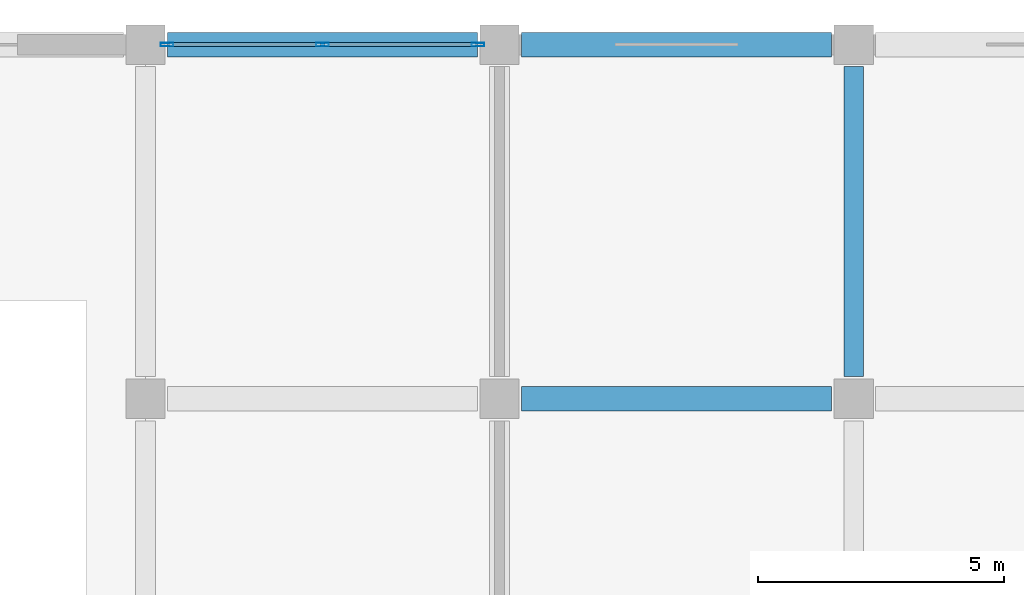
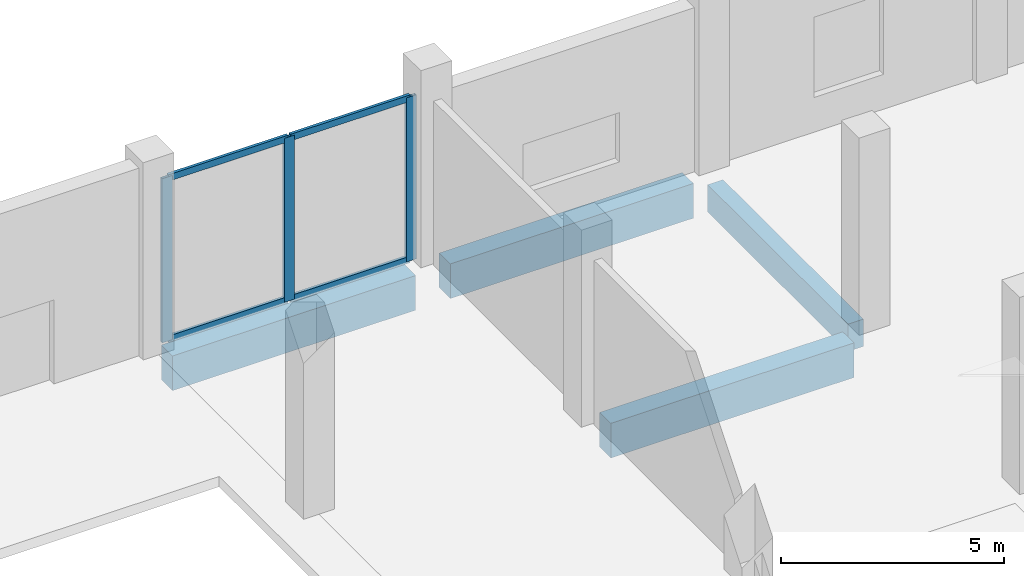
# One storey, part 40 of 70: 7 members, 4 beams, 1 element without a shape of its own.
"""IFC4 building model written with IfcOpenShell, lengths in metres."""

from ifc_helpers import new_model, si_unit, direction, frame, origin, origin_2d, place, context, subcontext, project, spatial, rectangle, hollow_rectangle, extrude, material, material_profile, profile_set, type_object, element, aggregate, save


model = new_model("IFC4")

# Units and contexts
model_context = context("Model", 3, precision=1e-05, world=origin(), true_north=direction((0.0, 1.0)))
body_context = subcontext(model_context, "Body", "Model", "MODEL_VIEW")
ifc_project = project(units=[si_unit("LENGTHUNIT", "METRE"), si_unit("AREAUNIT", "SQUARE_METRE"), si_unit("VOLUMEUNIT", "CUBIC_METRE"), si_unit("PLANEANGLEUNIT", "RADIAN"), si_unit("MASSUNIT", "GRAM", prefix="KILO")], contexts=[model_context])

# Site, building, storey
site_placement = place(None, origin())
site = spatial("IfcSite", under=ifc_project, at=site_placement, CompositionType="ELEMENT")
building_placement = place(site_placement, origin())
building = spatial("IfcBuilding", under=site, at=building_placement, Name="Vesperath Aquatics Centre", CompositionType="ELEMENT")
storey_placement = place(building_placement, origin())
storey = spatial("IfcBuildingStorey", under=building, at=storey_placement, Name="L00", CompositionType="ELEMENT", Elevation=0.0)

# Beams
ifc_material_1 = material(Name="Concrete C40", Category="concrete")
ifc_material_profile_1 = material_profile(ifc_material_1, rectangle(XDim=0.5, YDim=0.949951171875, at=origin_2d()), Name="RC 500x950")
ifc_profile_set_1 = profile_set([ifc_material_profile_1], Name="Concrete C40")
beam_type_1 = type_object("IfcBeamType", Name="BM-G02", PredefinedType="BEAM", material=ifc_profile_set_1)
for number, where, z_axis, x_axis, name in (
    (1, (144.449951171875, 115.199951171875, -0.7548828125), (1.0, 0.0, 0.0), (0.0, 1.0, 0.0), "Floor Girder B02 L00 S 21-22"),
    (2, (151.64990234375, 108.0, -0.7548828125), (1.0, 0.0, 0.0), (0.0, 1.0, 0.0), "Floor Girder B02 L00 R 22-23"),
    (3, (151.64990234375, 115.199951171875, -0.7548828125), (1.0, 0.0, 0.0), (0.0, 1.0, 0.0), "Floor Girder B02 L00 S 22-23"),
):
    element("IfcBeam", number, at=place(storey_placement, frame(where, z_axis=z_axis, x_axis=x_axis)), inside=storey, type_object=beam_type_1, Name=name, PredefinedType="BEAM", context=body_context, shape_type="SweptSolid", body=[
        extrude(rectangle(XDim=0.5, YDim=0.949951171875, at=origin_2d()), origin(), (0.0, 0.0, 1.0), 6.300048828125),
    ])
ifc_material_2 = material(Name="Concrete C35", Category="concrete")
ifc_material_profile_2 = material_profile(ifc_material_2, rectangle(XDim=0.39990234375, YDim=0.75, at=origin_2d()), Name="RC 400x750")
ifc_profile_set_2 = profile_set([ifc_material_profile_2], Name="Concrete C35")
beam_type_2 = type_object("IfcBeamType", Name="BM-G04", PredefinedType="BEAM", material=ifc_profile_set_2)
beam_placement = place(storey_placement, frame((158.39990234375, 108.449951171875, -0.655029296875), z_axis=(0.0, 1.0, 0.0), x_axis=(-1.0, 0.0, 0.0)))
element("IfcBeam", 4, at=beam_placement, inside=storey, type_object=beam_type_2, Name="Floor Girder B04 L00 23 R-S", PredefinedType="BEAM", context=body_context, shape_type="SweptSolid", body=[
    extrude(rectangle(XDim=0.39990234375, YDim=0.75, at=origin_2d()), origin(), (0.0, 0.0, 1.0), 6.300048828125),
])

# Curtain wall, members
ifc_material_3 = material(Name="Thermally broken anodised bronze aluminium curtain wall", Category="aluminium")
curtain_wall_type = type_object("IfcCurtainWallType", Name="CW-01", PredefinedType="NOTDEFINED", material=ifc_material_3)
curtain_wall_placement = place(storey_placement, origin())
curtain_wall = element("IfcCurtainWall", 5, at=curtain_wall_placement, inside=storey, type_object=curtain_wall_type, Name="Facade Curtain Wall CW01 L00_N_20_16", PredefinedType="NOTDEFINED")
ifc_material_4 = material(Name="Thermally broken anodised aluminium", Category="aluminium")
ifc_material_profile_3 = material_profile(ifc_material_4, hollow_rectangle(XDim=0.074951171875, YDim=0.260009765625, WallThickness=0.006103515625, at=origin_2d()), Name="CWM 75x260x6")
ifc_profile_set_3 = profile_set([ifc_material_profile_3], Name="Thermally broken anodised aluminium")
member_type_1 = type_object("IfcMemberType", Name="MB-CWM1", PredefinedType="MULLION", material=ifc_profile_set_3)
member_1_placement = place(storey_placement, frame((144.4375, 115.199951171875, 0.0), z_axis=(0.0, 0.0, 1.0), x_axis=(0.0, 1.0, 0.0)))
member_1 = element("IfcMember", 6, at=member_1_placement, type_object=member_type_1, Name="CW01 mullion 1", PredefinedType="MULLION", context=body_context, shape_type="SweptSolid", body=[
    extrude(hollow_rectangle(XDim=0.074951171875, YDim=0.260009765625, WallThickness=0.006103515625, at=origin_2d()), origin(), (0.0, 0.0, 1.0), 4.4951171875),
])
member_2_placement = place(storey_placement, frame((147.60009765625, 115.199951171875, 0.0), z_axis=(0.0, 0.0, 1.0), x_axis=(0.0, 1.0, 0.0)))
member_2 = element("IfcMember", 7, at=member_2_placement, type_object=member_type_1, Name="CW01 mullion 2", PredefinedType="MULLION", context=body_context, shape_type="SweptSolid", body=[
    extrude(hollow_rectangle(XDim=0.074951171875, YDim=0.260009765625, WallThickness=0.006103515625, at=origin_2d()), origin(), (0.0, 0.0, 1.0), 4.4951171875),
])
member_3_placement = place(storey_placement, frame((150.762451171875, 115.199951171875, 0.0), z_axis=(0.0, 0.0, 1.0), x_axis=(0.0, 1.0, 0.0)))
member_3 = element("IfcMember", 8, at=member_3_placement, type_object=member_type_1, Name="CW01 mullion 3", PredefinedType="MULLION", context=body_context, shape_type="SweptSolid", body=[
    extrude(hollow_rectangle(XDim=0.074951171875, YDim=0.260009765625, WallThickness=0.006103515625, at=origin_2d()), origin(), (0.0, 0.0, 1.0), 4.4951171875),
])
ifc_material_profile_4 = material_profile(ifc_material_4, hollow_rectangle(XDim=0.074951171875, YDim=0.179931640625, WallThickness=0.0048828125, at=origin_2d()), Name="CWT 75x180x5")
ifc_profile_set_4 = profile_set([ifc_material_profile_4], Name="Thermally broken anodised aluminium")
member_type_2 = type_object("IfcMemberType", Name="MB-CWT1", PredefinedType="USERDEFINED", material=ifc_profile_set_4)
member_4_placement = place(storey_placement, frame((144.47509765625, 115.199951171875, 0.03759765625), z_axis=(1.0, 0.0, 0.0), x_axis=(0.0, 1.0, 0.0)))
member_4 = element("IfcMember", 9, at=member_4_placement, type_object=member_type_2, Name="CW01 transom 1.1", ObjectType="TRANSOM", PredefinedType="USERDEFINED", context=body_context, shape_type="SweptSolid", body=[
    extrude(hollow_rectangle(XDim=0.074951171875, YDim=0.179931640625, WallThickness=0.0048828125, at=origin_2d()), origin(), (0.0, 0.0, 1.0), 3.08740234375),
])
member_5_placement = place(storey_placement, frame((144.47509765625, 115.199951171875, 4.45751953125), z_axis=(1.0, 0.0, 0.0), x_axis=(0.0, 1.0, 0.0)))
member_5 = element("IfcMember", 10, at=member_5_placement, type_object=member_type_2, Name="CW01 transom 1.2", ObjectType="TRANSOM", PredefinedType="USERDEFINED", context=body_context, shape_type="SweptSolid", body=[
    extrude(hollow_rectangle(XDim=0.074951171875, YDim=0.179931640625, WallThickness=0.0048828125, at=origin_2d()), origin(), (0.0, 0.0, 1.0), 3.08740234375),
])
member_6_placement = place(storey_placement, frame((147.637451171875, 115.199951171875, 0.03759765625), z_axis=(1.0, 0.0, 0.0), x_axis=(0.0, 1.0, 0.0)))
member_6 = element("IfcMember", 11, at=member_6_placement, type_object=member_type_2, Name="CW01 transom 2.1", ObjectType="TRANSOM", PredefinedType="USERDEFINED", context=body_context, shape_type="SweptSolid", body=[
    extrude(hollow_rectangle(XDim=0.074951171875, YDim=0.179931640625, WallThickness=0.0048828125, at=origin_2d()), origin(), (0.0, 0.0, 1.0), 3.087646484375),
])
member_7_placement = place(storey_placement, frame((147.637451171875, 115.199951171875, 4.45751953125), z_axis=(1.0, 0.0, 0.0), x_axis=(0.0, 1.0, 0.0)))
member_7 = element("IfcMember", 12, at=member_7_placement, type_object=member_type_2, Name="CW01 transom 2.2", ObjectType="TRANSOM", PredefinedType="USERDEFINED", context=body_context, shape_type="SweptSolid", body=[
    extrude(hollow_rectangle(XDim=0.074951171875, YDim=0.179931640625, WallThickness=0.0048828125, at=origin_2d()), origin(), (0.0, 0.0, 1.0), 3.087646484375),
])
aggregate(curtain_wall, [member_1, member_2, member_3, member_4, member_5, member_6, member_7])

save(model, "model.ifc")
